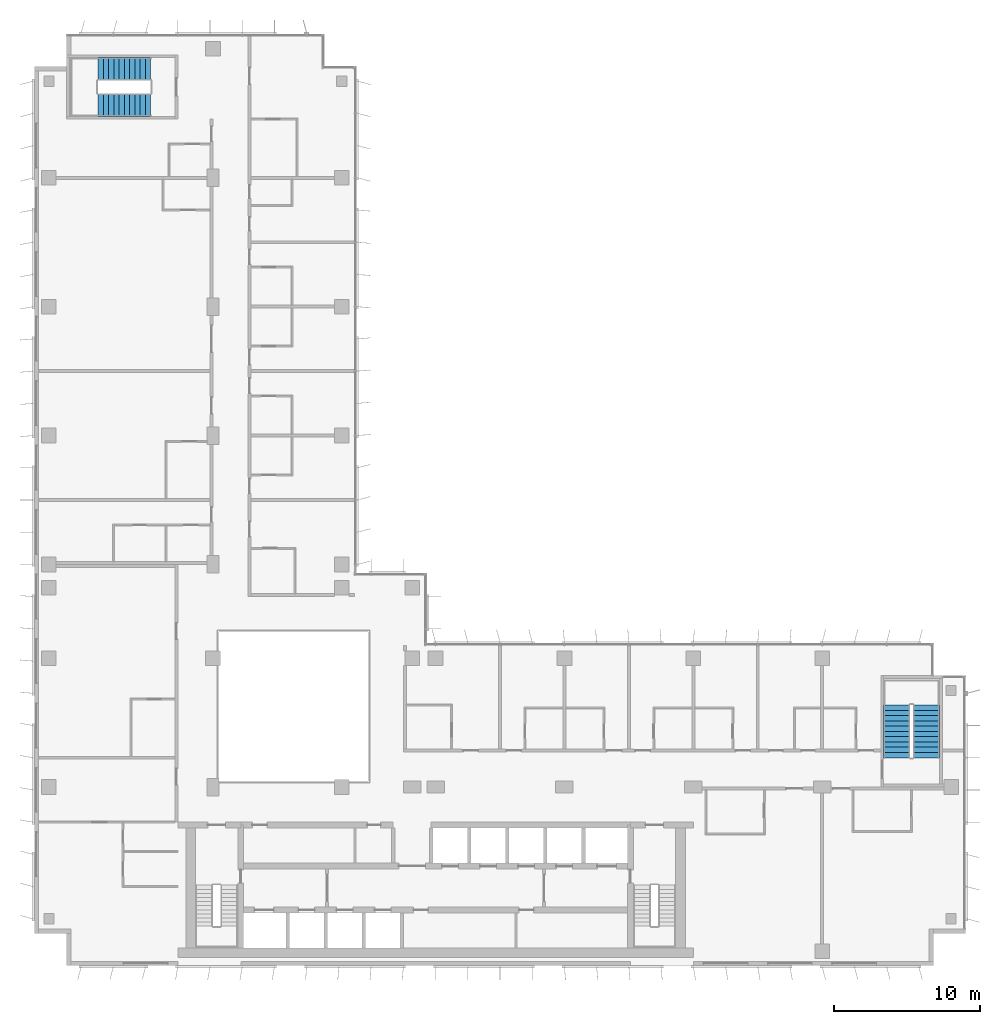
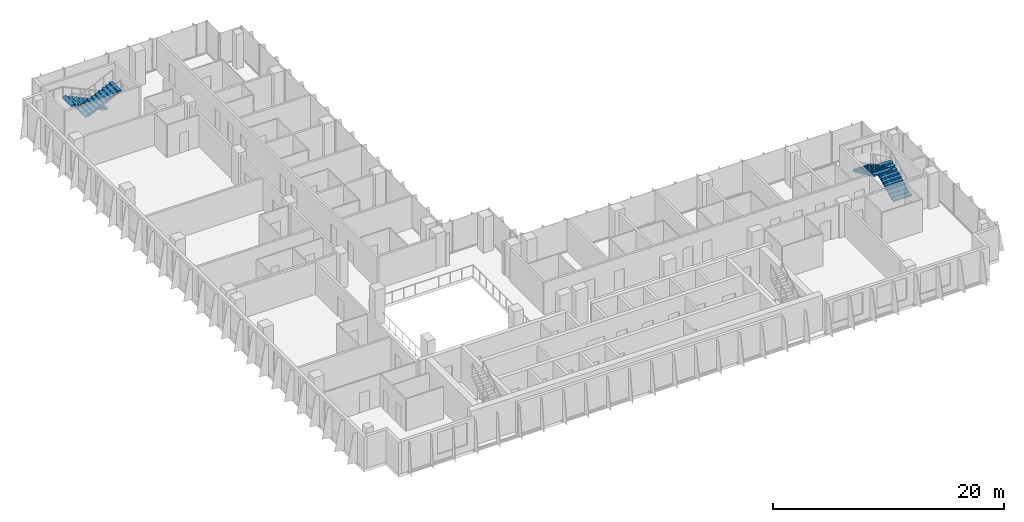
# One storey, part 18 of 21: 4 stair flights, 2 elements without a shape of their own.
"""IFC4 building model written with IfcOpenShell, lengths in metres."""

from ifc_helpers import new_model, si_unit, direction, frame, origin, place, context, subcontext, project, spatial, polyline, outline, extrude, material, type_object, element, aggregate, save


model = new_model("IFC4")

# Units and contexts
model_context = context("Model", 3, precision=1e-05, world=origin(), true_north=direction((0.0, 1.0)))
body_context = subcontext(model_context, "Body", "Model", "MODEL_VIEW")
ifc_project = project(units=[si_unit("LENGTHUNIT", "METRE"), si_unit("AREAUNIT", "SQUARE_METRE"), si_unit("VOLUMEUNIT", "CUBIC_METRE"), si_unit("PLANEANGLEUNIT", "RADIAN"), si_unit("MASSUNIT", "GRAM", prefix="KILO")], contexts=[model_context])

# Site, building, storey
site_placement = place(None, origin())
site = spatial("IfcSite", under=ifc_project, at=site_placement, CompositionType="ELEMENT")
building_placement = place(site_placement, origin())
building = spatial("IfcBuilding", under=site, at=building_placement, Name="Kemantara Hotel Tower", CompositionType="ELEMENT")
storey_placement = place(building_placement, frame((0.0, 0.0, 215.39990234375)))
storey = spatial("IfcBuildingStorey", under=building, at=storey_placement, Name="L53", CompositionType="ELEMENT", Elevation=215.39990234375)

# Stair, stair flights
ifc_material = material(Name="Concrete fc 40 MPa", Category="concrete")
stair_type_1 = type_object("IfcStairType", Name="Stair 1550 wide 22 risers of 168 x 360 mm", PredefinedType="HALF_TURN_STAIR", material=ifc_material)
stair_1_placement = place(storey_placement, origin())
stair_1 = element("IfcStair", 1, at=stair_1_placement, inside=storey, type_object=stair_type_1, Name="L53 Exit stair ST4", PredefinedType="HALF_TURN_STAIR")
stair_flight_type_1 = type_object("IfcStairFlightType", Name="Stair flight 1550 wide 168 x 360 mm", PredefinedType="STRAIGHT", material=ifc_material)
stair_flight_1_placement = place(storey_placement, frame((7.949951171875, 61.22509765625, 0.0), z_axis=(0.0, 0.0, 1.0), x_axis=(-1.0, 0.0, 0.0)))
stair_flight_1 = element("IfcStairFlight", 2, at=stair_flight_1_placement, type_object=stair_flight_type_1, Name="ST4 flight 1", NumberOfRisers=11, NumberOfTreads=10, PredefinedType="STRAIGHT", RiserHeight=0.168181818, TreadLength=0.36, context=body_context, shape_type="SweptSolid", body=[
    extrude(outline(polyline([(0.0, 0.0), (0.0, 0.168212890625), (0.360107421875, 0.168212890625), (0.360107421875, 0.33642578125), (0.719970703125, 0.33642578125), (0.719970703125, 0.504638671875), (1.080078125, 0.504638671875), (1.080078125, 0.672607421875), (1.43994140625, 0.672607421875), (1.43994140625, 0.8408203125), (1.800048828125, 0.8408203125), (1.800048828125, 1.009033203125), (2.159912109375, 1.009033203125), (2.159912109375, 1.17724609375), (2.52001953125, 1.17724609375), (2.52001953125, 1.345458984375), (2.8798828125, 1.345458984375), (2.8798828125, 1.513671875), (3.239990234375, 1.513671875), (3.239990234375, 1.681884765625), (3.60009765625, 1.681884765625), (3.60009765625, 1.85009765625), (3.60009765625, 1.516357421875), (0.354248046875, 0.0), (0.0, 0.0)])), frame((0.0, 0.77490234375, 0.0), z_axis=(0.0, -1.0, 0.0), x_axis=(1.0, 0.0, 0.0)), (0.0, 0.0, 1.0), 1.550048828125),
])
stair_flight_2_placement = place(storey_placement, frame((4.35009765625, 58.77490234375, 1.85009765625), z_axis=(0.0, 0.0, 1.0), x_axis=(1.0, 0.0, 0.0)))
stair_flight_2 = element("IfcStairFlight", 3, at=stair_flight_2_placement, type_object=stair_flight_type_1, Name="ST4 flight 2", NumberOfRisers=11, NumberOfTreads=10, PredefinedType="STRAIGHT", RiserHeight=0.168181818, TreadLength=0.36, context=body_context, shape_type="SweptSolid", body=[
    extrude(outline(polyline([(0.0, 0.0), (0.0, 0.168212890625), (0.360107421875, 0.168212890625), (0.360107421875, 0.33642578125), (0.719970703125, 0.33642578125), (0.719970703125, 0.504638671875), (1.080078125, 0.504638671875), (1.080078125, 0.672607421875), (1.43994140625, 0.672607421875), (1.43994140625, 0.8408203125), (1.800048828125, 0.8408203125), (1.800048828125, 1.009033203125), (2.159912109375, 1.009033203125), (2.159912109375, 1.17724609375), (2.52001953125, 1.17724609375), (2.52001953125, 1.345458984375), (2.8798828125, 1.345458984375), (2.8798828125, 1.513671875), (3.239990234375, 1.513671875), (3.239990234375, 1.681884765625), (3.60009765625, 1.681884765625), (3.60009765625, 1.85009765625), (3.60009765625, 1.516357421875), (0.354248046875, 0.0), (0.0, 0.0)])), frame((0.0, 0.77490234375, 0.0), z_axis=(0.0, -1.0, 0.0), x_axis=(1.0, 0.0, 0.0)), (0.0, 0.0, 1.0), 1.550048828125),
])
aggregate(stair_1, [stair_flight_1, stair_flight_2])

stair_type_2 = type_object("IfcStairType", Name="Stair 1800 wide 22 risers of 168 x 360 mm", PredefinedType="HALF_TURN_STAIR", material=ifc_material)
stair_2_placement = place(storey_placement, origin())
stair_2 = element("IfcStair", 4, at=stair_2_placement, inside=storey, type_object=stair_type_2, Name="L53 Exit stair ST3", PredefinedType="HALF_TURN_STAIR")
stair_flight_type_2 = type_object("IfcStairFlightType", Name="Stair flight 1800 wide 168 x 360 mm", PredefinedType="STRAIGHT", material=ifc_material)
stair_flight_3_placement = place(storey_placement, frame((60.89990234375, 14.199951171875, 0.0), z_axis=(0.0, 0.0, 1.0), x_axis=(0.0, 1.0, 0.0)))
stair_flight_3 = element("IfcStairFlight", 5, at=stair_flight_3_placement, type_object=stair_flight_type_2, Name="ST3 flight 1", NumberOfRisers=11, NumberOfTreads=10, PredefinedType="STRAIGHT", RiserHeight=0.168181818, TreadLength=0.36, context=body_context, shape_type="SweptSolid", body=[
    extrude(outline(polyline([(0.0, 0.0), (0.0, 0.168212890625), (0.360107421875, 0.168212890625), (0.360107421875, 0.33642578125), (0.719970703125, 0.33642578125), (0.719970703125, 0.504638671875), (1.080078125, 0.504638671875), (1.080078125, 0.672607421875), (1.43994140625, 0.672607421875), (1.43994140625, 0.8408203125), (1.800048828125, 0.8408203125), (1.800048828125, 1.009033203125), (2.159912109375, 1.009033203125), (2.159912109375, 1.17724609375), (2.52001953125, 1.17724609375), (2.52001953125, 1.345458984375), (2.8798828125, 1.345458984375), (2.8798828125, 1.513671875), (3.239990234375, 1.513671875), (3.239990234375, 1.681884765625), (3.60009765625, 1.681884765625), (3.60009765625, 1.85009765625), (3.60009765625, 1.516357421875), (0.354248046875, 0.0), (0.0, 0.0)])), frame((0.0, 0.89990234375, 0.0), z_axis=(0.0, -1.0, 0.0), x_axis=(1.0, 0.0, 0.0)), (0.0, 0.0, 1.0), 1.800048828125),
])
stair_flight_4_placement = place(storey_placement, frame((58.89990234375, 17.800048828125, 1.85009765625), z_axis=(0.0, 0.0, 1.0), x_axis=(0.0, -1.0, 0.0)))
stair_flight_4 = element("IfcStairFlight", 6, at=stair_flight_4_placement, type_object=stair_flight_type_2, Name="ST3 flight 2", NumberOfRisers=11, NumberOfTreads=10, PredefinedType="STRAIGHT", RiserHeight=0.168181818, TreadLength=0.36, context=body_context, shape_type="SweptSolid", body=[
    extrude(outline(polyline([(0.0, 0.0), (0.0, 0.168212890625), (0.360107421875, 0.168212890625), (0.360107421875, 0.33642578125), (0.719970703125, 0.33642578125), (0.719970703125, 0.504638671875), (1.080078125, 0.504638671875), (1.080078125, 0.672607421875), (1.43994140625, 0.672607421875), (1.43994140625, 0.8408203125), (1.800048828125, 0.8408203125), (1.800048828125, 1.009033203125), (2.159912109375, 1.009033203125), (2.159912109375, 1.17724609375), (2.52001953125, 1.17724609375), (2.52001953125, 1.345458984375), (2.8798828125, 1.345458984375), (2.8798828125, 1.513671875), (3.239990234375, 1.513671875), (3.239990234375, 1.681884765625), (3.60009765625, 1.681884765625), (3.60009765625, 1.85009765625), (3.60009765625, 1.516357421875), (0.354248046875, 0.0), (0.0, 0.0)])), frame((0.0, 0.89990234375, 0.0), z_axis=(0.0, -1.0, 0.0), x_axis=(1.0, 0.0, 0.0)), (0.0, 0.0, 1.0), 1.800048828125),
])
aggregate(stair_2, [stair_flight_3, stair_flight_4])

save(model, "model.ifc")
